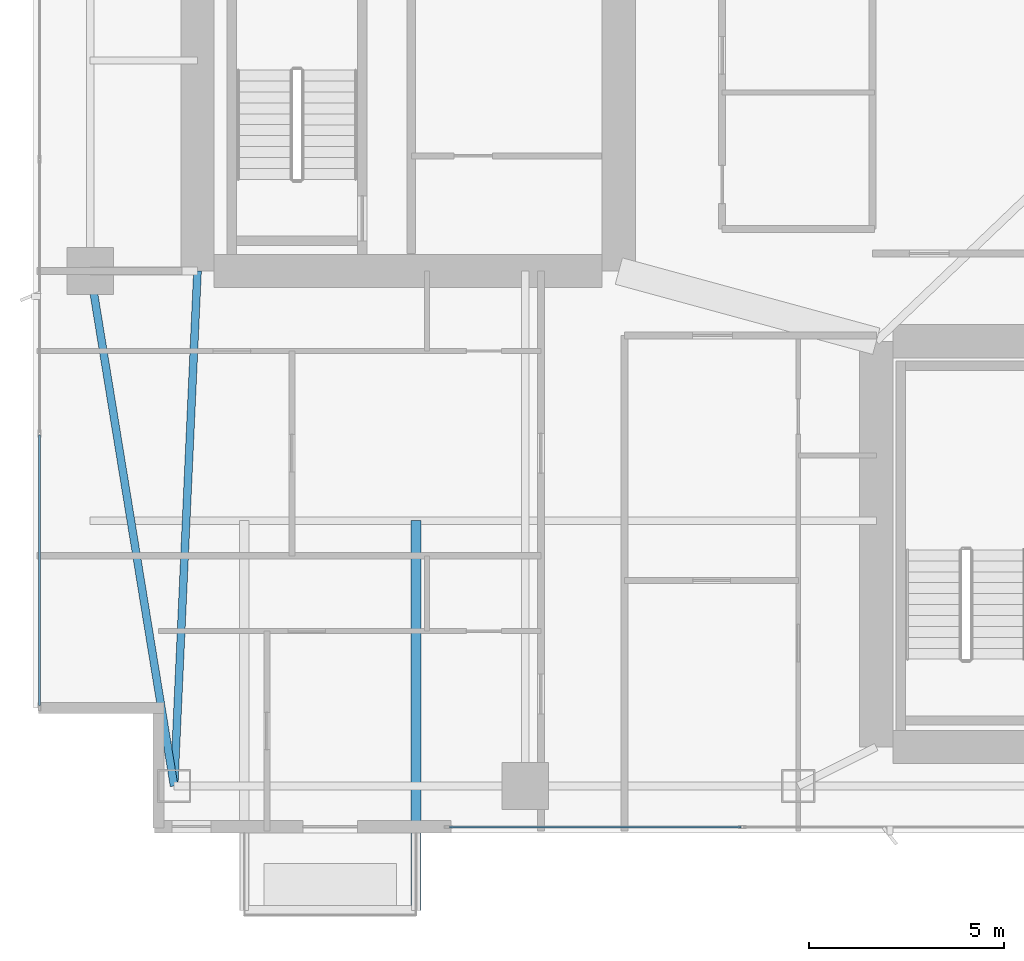
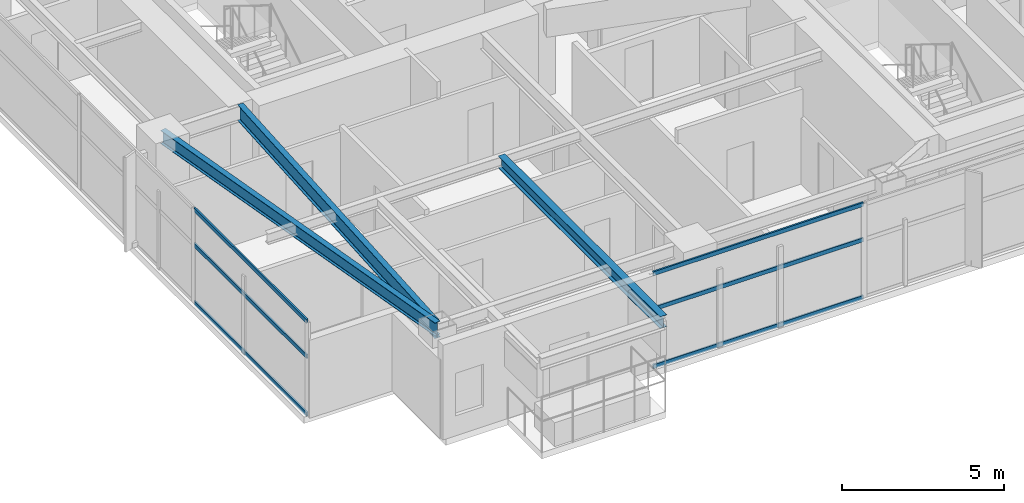
# One storey, part 3 of 29: 6 members, 3 beams, 2 elements without a shape of their own.
"""IFC4 building model written with IfcOpenShell, lengths in metres."""

from ifc_helpers import new_model, si_unit, direction, frame, origin, origin_2d, place, context, subcontext, project, spatial, hollow_rectangle, i_section, extrude, material, layer, layer_set, material_profile, profile_set, type_object, element, aggregate, save


model = new_model("IFC4")

# Units and contexts
model_context = context("Model", 3, precision=1e-05, world=origin(), true_north=direction((0.0, 1.0)))
body_context = subcontext(model_context, "Body", "Model", "MODEL_VIEW")
ifc_project = project(units=[si_unit("LENGTHUNIT", "METRE"), si_unit("AREAUNIT", "SQUARE_METRE"), si_unit("VOLUMEUNIT", "CUBIC_METRE"), si_unit("PLANEANGLEUNIT", "RADIAN"), si_unit("MASSUNIT", "GRAM", prefix="KILO")], contexts=[model_context])

# Site, building, storey
site_placement = place(None, origin())
site = spatial("IfcSite", under=ifc_project, at=site_placement, CompositionType="ELEMENT")
building_placement = place(site_placement, origin())
building = spatial("IfcBuilding", under=site, at=building_placement, Name="Calvorn Quay Hotel", CompositionType="ELEMENT")
storey_placement = place(building_placement, frame((0.0, 0.0, 163.699951171875)))
storey = spatial("IfcBuildingStorey", under=building, at=storey_placement, Name="L40", CompositionType="ELEMENT", Elevation=163.699951171875)

# Beams
ifc_material_1 = material(Name="Steel Q355B", Category="steel")
ifc_material_profile_1 = material_profile(ifc_material_1, i_section(OverallWidth=0.25, OverallDepth=0.449951171875, WebThickness=0.011962890625, FlangeThickness=0.01611328125, FilletRadius=0.01611328125, at=origin_2d()), Name="HN450x250x12x16")
ifc_profile_set_1 = profile_set([ifc_material_profile_1], Name="Steel Q355B")
beam_type_1 = type_object("IfcBeamType", Name="BM-CANT-BALC", PredefinedType="BEAM", material=ifc_profile_set_1)
beam_1_placement = place(storey_placement, frame((9.800048828125, 10.39990234375, 3.31494140625), z_axis=(0.0, -1.0, 0.0), x_axis=(1.0, 0.0, 0.0)))
element("IfcBeam", 1, at=beam_1_placement, inside=storey, type_object=beam_type_1, Name="Cantilever Balcony Beam BCB-L41-2B", PredefinedType="BEAM", context=body_context, shape_type="SweptSolid", body=[
    extrude(i_section(OverallWidth=0.25, OverallDepth=0.449951171875, WebThickness=0.011962890625, FlangeThickness=0.01611328125, FilletRadius=0.01611328125, at=origin_2d()), origin(), (0.0, 0.0, 1.0), 9.989990234375),
])
ifc_material_2 = material(Name="Steel Q355B", Category="steel")
ifc_material_profile_2 = material_profile(ifc_material_2, i_section(OverallWidth=0.199951171875, OverallDepth=0.60009765625, WebThickness=0.010986328125, FlangeThickness=0.01708984375, FilletRadius=0.01806640625, at=origin_2d()), Name="HN600x200x11x17")
ifc_profile_set_2 = profile_set([ifc_material_profile_2], Name="Steel Q355B")
beam_type_2 = type_object("IfcBeamType", Name="BM-GIRD-TYP", PredefinedType="BEAM", material=ifc_profile_set_2)
beam_2_placement = place(storey_placement, frame((3.60009765625, 3.60009765625, 3.239990234375), z_axis=(0.045396765494, 0.998969035397, 0.0), x_axis=(-0.998969035397, 0.045396765494, 0.0)))
element("IfcBeam", 2, at=beam_2_placement, inside=storey, type_object=beam_type_2, Name="Beam BG-L40-W0", PredefinedType="BEAM", context=body_context, shape_type="SweptSolid", body=[
    extrude(i_section(OverallWidth=0.199951171875, OverallDepth=0.60009765625, WebThickness=0.010986328125, FlangeThickness=0.01708984375, FilletRadius=0.01806640625, at=origin_2d()), origin(), (0.0, 0.0, 1.0), 13.213623046875),
])
ifc_material_3 = material(Name="Steel Q355B", Category="steel")
ifc_material_profile_3 = material_profile(ifc_material_3, i_section(OverallWidth=0.199951171875, OverallDepth=0.5, WebThickness=0.010009765625, FlangeThickness=0.01611328125, FilletRadius=0.01611328125, at=origin_2d()), Name="HN500x200x10x16")
ifc_profile_set_3 = profile_set([ifc_material_profile_3], Name="Steel Q355B")
beam_type_3 = type_object("IfcBeamType", Name="BM-SPANDREL-Z1", PredefinedType="SPANDREL", material=ifc_profile_set_3)
beam_3_placement = place(storey_placement, frame((3.60009765625, 3.60009765625, 3.2900390625), z_axis=(-0.16077155054, 0.986991645627, 0.0), x_axis=(-0.986991645627, -0.16077155054, 0.0)))
element("IfcBeam", 3, at=beam_3_placement, inside=storey, type_object=beam_type_3, Name="Beam BSP-L40-W1", PredefinedType="SPANDREL", context=body_context, shape_type="SweptSolid", body=[
    extrude(i_section(OverallWidth=0.199951171875, OverallDepth=0.5, WebThickness=0.010009765625, FlangeThickness=0.01611328125, FilletRadius=0.01611328125, at=origin_2d()), origin(), (0.0, 0.0, 1.0), 13.3740234375),
])

# Curtain wall, members
ifc_material_4 = material(Name="Pale Anodised Aluminium and Low-E Glass", Category="aluminium")
ifc_layer = layer(ifc_material_4, 0.219970703125)
ifc_layer_set = layer_set([ifc_layer], Name="CW-SYS-Z2")
curtain_wall_type = type_object("IfcCurtainWallType", Name="CW-SYS-Z2", PredefinedType="NOTDEFINED", material=ifc_layer_set)
curtain_wall_1_placement = place(storey_placement, origin())
curtain_wall_1 = element("IfcCurtainWall", 4, at=curtain_wall_1_placement, inside=storey, type_object=curtain_wall_type, Name="Tower West Curtain Wall (L40)", PredefinedType="NOTDEFINED")
ifc_material_5 = material(Name="Pale Anodised Aluminium 6063-T6", Category="aluminium")
ifc_material_profile_4 = material_profile(ifc_material_5, hollow_rectangle(XDim=0.06005859375, YDim=0.14990234375, WallThickness=0.00341796875, at=origin_2d()), Name="ALU-T150x60x3.5")
ifc_profile_set_4 = profile_set([ifc_material_profile_4], Name="Pale Anodised Aluminium 6063-T6")
member_type = type_object("IfcMemberType", Name="CW-SYS-Z2-TRN", PredefinedType="USERDEFINED", material=ifc_profile_set_4)
member_1_placement = place(storey_placement, frame((0.14990234375, 5.659912109375, 0.030029296875), z_axis=(0.0, 1.0, 0.0), x_axis=(-1.0, 0.0, 0.0)))
member_1 = element("IfcMember", 5, at=member_1_placement, type_object=member_type, Name="CW-L40-W transom 1.1", ObjectType="TRANSOM", PredefinedType="USERDEFINED", context=body_context, shape_type="SweptSolid", body=[
    extrude(hollow_rectangle(XDim=0.06005859375, YDim=0.14990234375, WallThickness=0.00341796875, at=origin_2d()), origin(), (0.0, 0.0, 1.0), 6.943359375),
])
member_2_placement = place(storey_placement, frame((0.14990234375, 5.659912109375, 2.199951171875), z_axis=(0.0, 1.0, 0.0), x_axis=(-1.0, 0.0, 0.0)))
member_2 = element("IfcMember", 6, at=member_2_placement, type_object=member_type, Name="CW-L40-W transom 1.2", ObjectType="TRANSOM", PredefinedType="USERDEFINED", context=body_context, shape_type="SweptSolid", body=[
    extrude(hollow_rectangle(XDim=0.06005859375, YDim=0.14990234375, WallThickness=0.00341796875, at=origin_2d()), origin(), (0.0, 0.0, 1.0), 6.943359375),
])
member_3_placement = place(storey_placement, frame((0.14990234375, 5.659912109375, 3.530029296875), z_axis=(0.0, 1.0, 0.0), x_axis=(-1.0, 0.0, 0.0)))
member_3 = element("IfcMember", 7, at=member_3_placement, type_object=member_type, Name="CW-L40-W transom 1.3", ObjectType="TRANSOM", PredefinedType="USERDEFINED", context=body_context, shape_type="SweptSolid", body=[
    extrude(hollow_rectangle(XDim=0.06005859375, YDim=0.14990234375, WallThickness=0.00341796875, at=origin_2d()), origin(), (0.0, 0.0, 1.0), 6.943359375),
])
aggregate(curtain_wall_1, [member_1, member_2, member_3])

curtain_wall_2_placement = place(storey_placement, origin())
curtain_wall_2 = element("IfcCurtainWall", 8, at=curtain_wall_2_placement, inside=storey, type_object=curtain_wall_type, Name="Tower South Waterfront Curtain Wall (L40)", PredefinedType="NOTDEFINED")
member_4_placement = place(storey_placement, frame((10.659912109375, 2.550048828125, 0.030029296875), z_axis=(1.0, 0.0, 0.0), x_axis=(0.0, 1.0, 0.0)))
member_4 = element("IfcMember", 9, at=member_4_placement, type_object=member_type, Name="CW-L40-S transom 1.1", ObjectType="TRANSOM", PredefinedType="USERDEFINED", context=body_context, shape_type="SweptSolid", body=[
    extrude(hollow_rectangle(XDim=0.06005859375, YDim=0.14990234375, WallThickness=0.00341796875, at=origin_2d()), origin(), (0.0, 0.0, 1.0), 7.476806640625),
])
member_5_placement = place(storey_placement, frame((10.659912109375, 2.550048828125, 2.199951171875), z_axis=(1.0, 0.0, 0.0), x_axis=(0.0, 1.0, 0.0)))
member_5 = element("IfcMember", 10, at=member_5_placement, type_object=member_type, Name="CW-L40-S transom 1.2", ObjectType="TRANSOM", PredefinedType="USERDEFINED", context=body_context, shape_type="SweptSolid", body=[
    extrude(hollow_rectangle(XDim=0.06005859375, YDim=0.14990234375, WallThickness=0.00341796875, at=origin_2d()), origin(), (0.0, 0.0, 1.0), 7.476806640625),
])
member_6_placement = place(storey_placement, frame((10.659912109375, 2.550048828125, 3.530029296875), z_axis=(1.0, 0.0, 0.0), x_axis=(0.0, 1.0, 0.0)))
member_6 = element("IfcMember", 11, at=member_6_placement, type_object=member_type, Name="CW-L40-S transom 1.3", ObjectType="TRANSOM", PredefinedType="USERDEFINED", context=body_context, shape_type="SweptSolid", body=[
    extrude(hollow_rectangle(XDim=0.06005859375, YDim=0.14990234375, WallThickness=0.00341796875, at=origin_2d()), origin(), (0.0, 0.0, 1.0), 7.476806640625),
])
aggregate(curtain_wall_2, [member_4, member_5, member_6])

save(model, "model.ifc")
